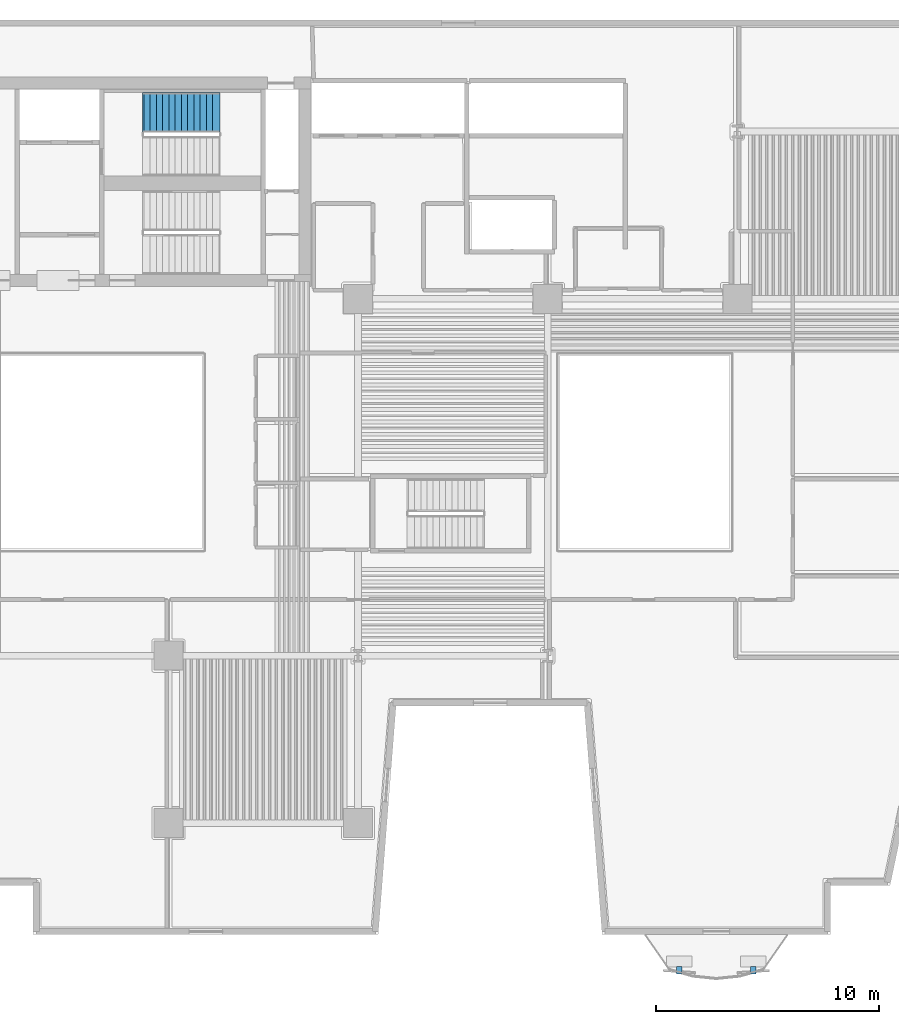
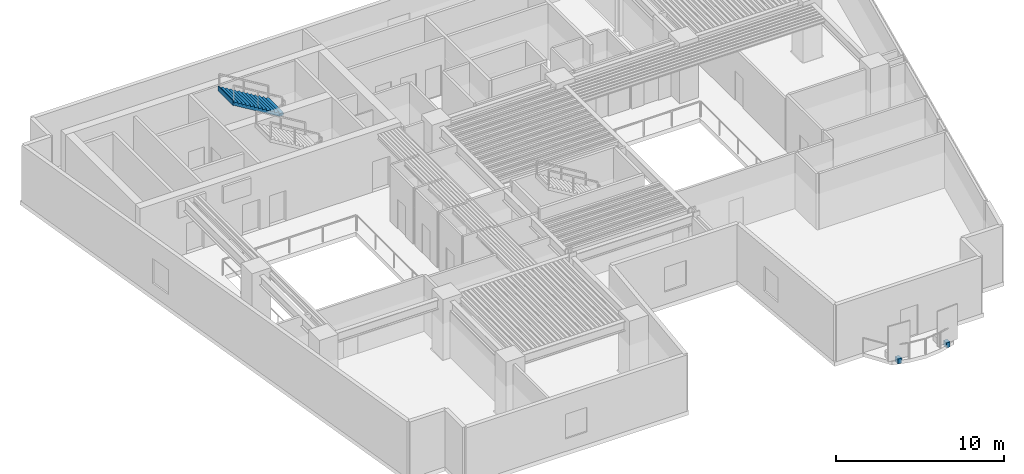
# One storey, part 7 of 12: 2 discrete accessories, 1 stair flight, 1 element without a shape of its own.
"""IFC4 building model written with IfcOpenShell, lengths in metres."""

from ifc_helpers import new_model, si_unit, direction, frame, origin, origin_2d, place, context, subcontext, project, spatial, polyline, rectangle, outline, extrude, material, type_object, element, aggregate, save


model = new_model("IFC4")

# Units and contexts
model_context = context("Model", 3, precision=1e-05, world=origin(), true_north=direction((0.0, 1.0)))
body_context = subcontext(model_context, "Body", "Model", "MODEL_VIEW")
ifc_project = project(units=[si_unit("LENGTHUNIT", "METRE"), si_unit("AREAUNIT", "SQUARE_METRE"), si_unit("VOLUMEUNIT", "CUBIC_METRE"), si_unit("PLANEANGLEUNIT", "RADIAN"), si_unit("MASSUNIT", "GRAM", prefix="KILO")], contexts=[model_context])

# Site, building, storey
site_placement = place(None, origin())
site = spatial("IfcSite", under=ifc_project, at=site_placement, CompositionType="ELEMENT")
building_placement = place(site_placement, origin())
building = spatial("IfcBuilding", under=site, at=building_placement, Name="Caeloran Harvest Quay", CompositionType="ELEMENT")
storey_placement = place(building_placement, frame((0.0, 0.0, 35.800048828125)))
storey = spatial("IfcBuildingStorey", under=building, at=storey_placement, Name="L08", CompositionType="ELEMENT", Elevation=35.800048828125)

# Stair, stair flight
ifc_material_1 = material(Name="Concrete C50/60", Category="concrete")
stair_type = type_object("IfcStairType", Name="STAIR-STC-180", PredefinedType="HALF_TURN_STAIR", material=ifc_material_1)
stair_placement = place(storey_placement, origin())
stair = element("IfcStair", 1, at=stair_placement, inside=storey, type_object=stair_type, Name="L08 Core Pressurized Exit Stair ST-C1", PredefinedType="HALF_TURN_STAIR")
stair_flight_type = type_object("IfcStairFlightType", Name="FLIGHT-STC-180", PredefinedType="STRAIGHT", material=ifc_material_1)
stair_flight_placement = place(storey_placement, frame((19.260009765625, 39.35009765625, 2.199951171875), z_axis=(0.0, 0.0, 1.0), x_axis=(-1.0, 0.0, 0.0)))
stair_flight = element("IfcStairFlight", 2, at=stair_flight_placement, type_object=stair_flight_type, Name="ST-C1 flight 2", NumberOfRisers=13, NumberOfTreads=12, PredefinedType="STRAIGHT", RiserHeight=0.169230769, TreadLength=0.28, context=body_context, shape_type="SweptSolid", body=[
    extrude(outline(polyline([(-0.054931640625, -0.044921875), (-0.054931640625, -0.031494140625), (-0.054931640625, -0.018310546875), (-0.054931640625, -0.0048828125), (-0.054931640625, 0.008544921875), (-0.054931640625, 0.02197265625), (-0.054931640625, 0.035400390625), (-0.054931640625, 0.048828125), (-0.054931640625, 0.06201171875), (-0.054931640625, 0.075439453125), (-0.054931640625, 0.0888671875), (-0.054931640625, 0.102294921875), (-0.054931640625, 0.11572265625), (-0.054931640625, 0.129150390625), (-0.054931640625, 0.142333984375), (-0.054931640625, 0.15576171875), (-0.054931640625, 0.169189453125), (0.280029296875, 0.169189453125), (0.280029296875, 0.33837890625), (0.56005859375, 0.33837890625), (0.56005859375, 0.5078125), (0.840087890625, 0.5078125), (0.840087890625, 0.677001953125), (1.1201171875, 0.677001953125), (1.1201171875, 0.84619140625), (1.39990234375, 0.84619140625), (1.39990234375, 1.015380859375), (1.679931640625, 1.015380859375), (1.679931640625, 1.1845703125), (1.9599609375, 1.1845703125), (1.9599609375, 1.353759765625), (2.239990234375, 1.353759765625), (2.239990234375, 1.523193359375), (2.52001953125, 1.523193359375), (2.52001953125, 1.6923828125), (2.800048828125, 1.6923828125), (2.800048828125, 1.861572265625), (3.080078125, 1.861572265625), (3.080078125, 2.03076171875), (3.360107421875, 2.03076171875), (3.360107421875, 2.199951171875), (3.4150390625, 2.199951171875), (3.4150390625, 2.178466796875), (3.4150390625, 2.156982421875), (3.4150390625, 2.135498046875), (3.4150390625, 2.114013671875), (3.4150390625, 2.09228515625), (3.4150390625, 2.07080078125), (3.4150390625, 2.04931640625), (3.4150390625, 2.02783203125), (3.4150390625, 2.00634765625), (3.4150390625, 1.98486328125), (3.4150390625, 1.963134765625), (3.4150390625, 1.941650390625), (3.4150390625, 1.920166015625), (3.4150390625, 1.898681640625), (3.4150390625, 1.877197265625), (3.4150390625, 1.855712890625), (3.360107421875, 1.855712890625), (0.21533203125, -0.044921875), (-0.054931640625, -0.044921875)])), frame((0.0, 0.89990234375, 0.0), z_axis=(0.0, -1.0, 0.0), x_axis=(1.0, 0.0, 0.0)), (0.0, 0.0, 1.0), 1.800048828125),
])
aggregate(stair, [stair_flight])

# Discrete accessories
ifc_material_2 = material(Name="Stainless Steel Grade 316L", Category="steel")
discrete_accessory_type = type_object("IfcDiscreteAccessoryType", Name="BRACKET-SCREEN-SS", PredefinedType="BRACKET", material=ifc_material_2)
for number, where, z_axis, x_axis, name in (
    (3, (43.218505859375, 0.898681640625, -0.22021484375), (0.0, 0.0, 1.0), (1.0, 0.0, 0.0), "L08 Balcony Screen Support Bracket 1"),
    (4, (39.8984375, 0.898681640625, -0.22021484375), (0.0, 0.0, 1.0), (1.0, 0.0, 0.0), "L08 Balcony Screen Support Bracket 2"),
):
    element("IfcDiscreteAccessory", number, at=place(storey_placement, frame(where, z_axis=z_axis, x_axis=x_axis)), inside=storey, type_object=discrete_accessory_type, Name=name, PredefinedType="BRACKET", context=body_context, shape_type="SweptSolid", body=[
        extrude(rectangle(XDim=0.260009765625, YDim=0.340087890625, at=origin_2d()), origin(), (0.0, 0.0, 1.0), 0.360107421875),
    ])

save(model, "model.ifc")
